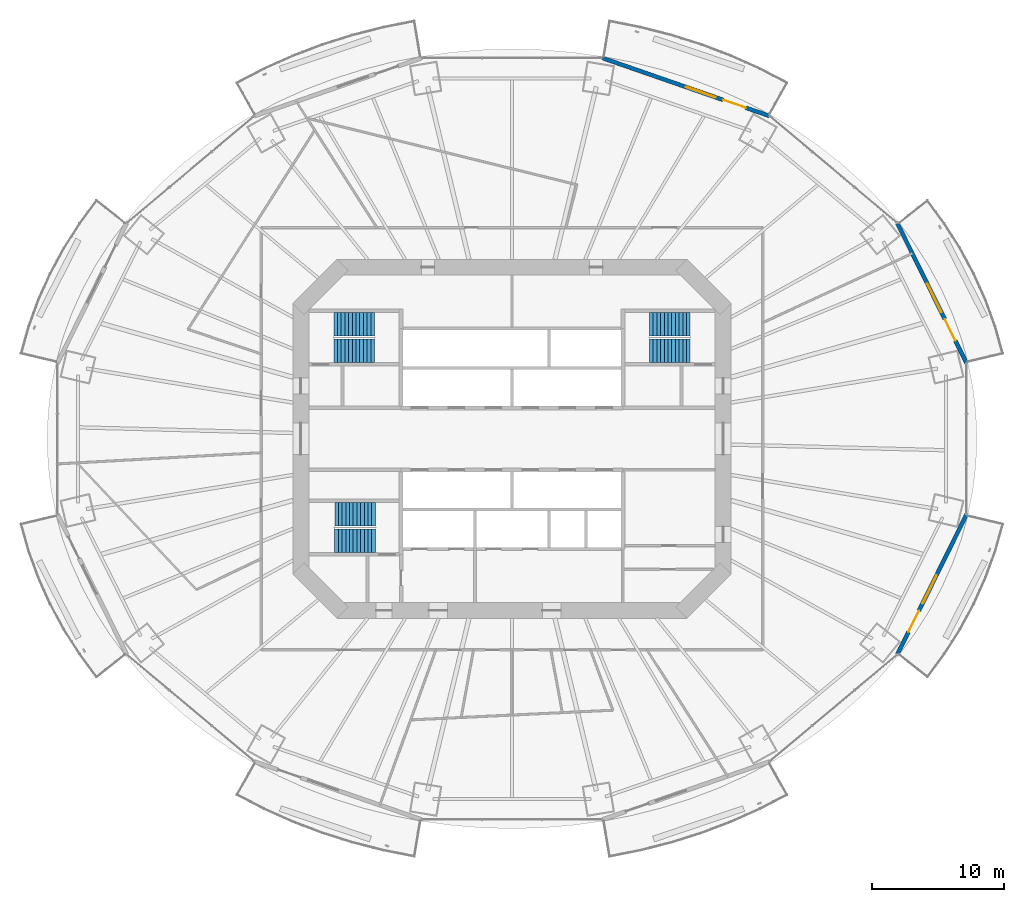
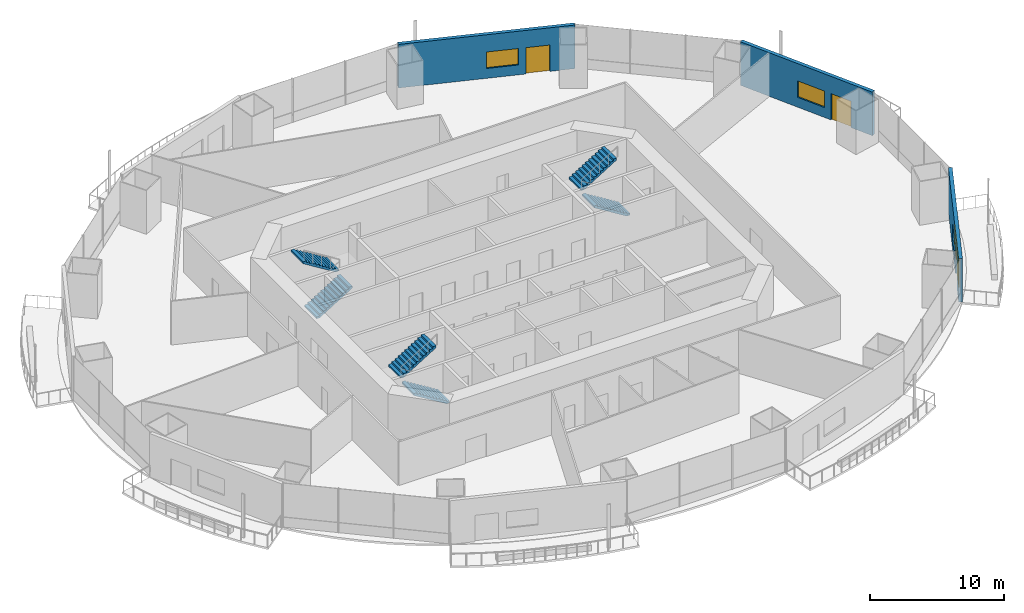
# One storey, part 16 of 22: 6 stair flights, 3 doors, 3 walls, 3 windows, 6 openings, 3 elements without a shape of their own.
"""IFC4 building model written with IfcOpenShell, lengths in metres."""

import ifcopenshell
import ifcopenshell.guid

model = None  # the IFC model being written
_history = None  # IfcOwnerHistory: only IFC2X3 demands one
_inside = {}  # id of a spatial element -> (the spatial element, [elements in it])
_under = {}  # id of a project, library or spatial element -> (it, [spatial elements below it])
_declared = {}  # id of a project -> (the project, [libraries it declares])
_typed = {}  # id of a type object -> (the type object, [elements of that type])
_made_of = {}  # id of a material, layer set ... -> (it, [elements and type objects made of it])


def new_model(schema):
    """Start an empty IFC model of exactly this schema.

    Asked for "IFC4X3", IfcOpenShell would pick the latest addendum, in which some entities
    have other attributes; the version numbers below select the first issue.
    IFC2X3 requires an IfcOwnerHistory on every rooted entity: one is made here for all.
    """
    global model, _history
    if schema == "IFC4X3":
        model = ifcopenshell.file(schema_version=(4, 3, 0, 0))
    else:
        model = ifcopenshell.file(schema=schema)
    _inside.clear()
    _under.clear()
    _declared.clear()
    _typed.clear()
    _made_of.clear()
    _history = None
    if model.schema == "IFC2X3":
        org = make("IfcOrganization", Name="unknown")
        user = make(
            "IfcPersonAndOrganization",
            ThePerson=make("IfcPerson", FamilyName="unknown"),
            TheOrganization=org,
        )
        app = make(
            "IfcApplication",
            ApplicationDeveloper=org,
            Version="unknown",
            ApplicationFullName="unknown",
            ApplicationIdentifier="unknown",
        )
        _history = make(
            "IfcOwnerHistory",
            OwningUser=user,
            OwningApplication=app,
            ChangeAction="ADDED",
            CreationDate=0,
        )
    return model


def make(cls, **values):
    """One entity of the class cls with the attributes given. An attribute that is None is left unset."""
    return model.create_entity(
        cls, **{name: value for name, value in values.items() if value is not None}
    )


def rooted(cls, **values):
    """An entity with a GlobalId (a new one), such as an element, a storey or a relation."""
    return make(cls, GlobalId=ifcopenshell.guid.new(), OwnerHistory=_history, **values)


def si_unit(unit_type, name, prefix=None):
    """IfcSIUnit, for example si_unit("LENGTHUNIT", "METRE", prefix="MILLI")."""
    return make("IfcSIUnit", UnitType=unit_type, Prefix=prefix, Name=name)


def assignment(units):
    """IfcUnitAssignment: the units of a project."""
    return None if units is None else make("IfcUnitAssignment", Units=units)


def point(xyz):
    """IfcCartesianPoint."""
    return None if xyz is None else make("IfcCartesianPoint", Coordinates=xyz)


def direction(xyz):
    """IfcDirection."""
    return None if xyz is None else make("IfcDirection", DirectionRatios=xyz)


def frame(location, z_axis=None, x_axis=None):
    """IfcAxis2Placement3D, a coordinate frame: its origin and axes. An axis left out is left unset."""
    return make(
        "IfcAxis2Placement3D",
        Location=point(location),
        Axis=direction(z_axis),
        RefDirection=direction(x_axis),
    )


def frame_2d(location, x_axis=None):
    """IfcAxis2Placement2D, a coordinate frame in the plane: its origin and x axis."""
    return make(
        "IfcAxis2Placement2D", Location=point(location), RefDirection=direction(x_axis)
    )


def origin():
    """The frame at (0, 0, 0) with its axes left unset."""
    return frame((0.0, 0.0, 0.0))


def place(relative_to, where):
    """IfcLocalPlacement: puts the frame where relative to a parent placement (None: the world)."""
    return make(
        "IfcLocalPlacement", PlacementRelTo=relative_to, RelativePlacement=where
    )


def context(
    kind, dimensions, precision=None, world=None, true_north=None, identifier=None
):
    """IfcGeometricRepresentationContext, for example the 3D "Model" context."""
    return make(
        "IfcGeometricRepresentationContext",
        ContextIdentifier=identifier,
        ContextType=kind,
        CoordinateSpaceDimension=dimensions,
        Precision=precision,
        WorldCoordinateSystem=world,
        TrueNorth=true_north,
    )


def subcontext(parent, identifier, kind, view, scale=None):
    """IfcGeometricRepresentationSubContext, for example "Body" below "Model"."""
    return make(
        "IfcGeometricRepresentationSubContext",
        ContextIdentifier=identifier,
        ContextType=kind,
        ParentContext=parent,
        TargetScale=scale,
        TargetView=view,
    )


def project(units=None, contexts=None):
    """IfcProject with its units and contexts."""
    return rooted(
        "IfcProject",
        Name="project",
        RepresentationContexts=contexts,
        UnitsInContext=assignment(units),
    )


def spatial(cls, under=None, at=None, **own):
    """A site, building, storey or space (cls), placed at a placement, below another one or the project."""
    s = rooted(cls, ObjectPlacement=at, **own)
    if under is not None:
        _under.setdefault(under.id(), (under, []))[1].append(s)
    return s


def polyline(points):
    """IfcPolyline through the points."""
    return make("IfcPolyline", Points=[point(p) for p in points])


def profile(cls, at=None, kind="AREA", **sizes):
    """A parametric profile (cls). Its sizes go by their IFC names, for example OverallWidth=200.0."""
    return make(cls, ProfileType=kind, Position=at, **sizes)


def rectangle(**sizes):
    """IfcRectangleProfileDef."""
    return profile("IfcRectangleProfileDef", **sizes)


def outline(outer, holes=None, kind="AREA"):
    """IfcArbitraryClosedProfileDef: a profile drawn as a closed curve; with holes, ...WithVoids."""
    if holes is None:
        return make("IfcArbitraryClosedProfileDef", ProfileType=kind, OuterCurve=outer)
    return make(
        "IfcArbitraryProfileDefWithVoids",
        ProfileType=kind,
        OuterCurve=outer,
        InnerCurves=holes,
    )


def extrude(swept, where, along, depth):
    """IfcExtrudedAreaSolid: the profile swept, set in the frame where, extruded along a direction by depth."""
    return make(
        "IfcExtrudedAreaSolid",
        SweptArea=swept,
        Position=where,
        ExtrudedDirection=direction(along),
        Depth=depth,
    )


def shape(context_of_items, identifier, shape_type, items):
    """IfcShapeRepresentation: the items that make up one representation, for example the "Body"."""
    return make(
        "IfcShapeRepresentation",
        ContextOfItems=context_of_items,
        RepresentationIdentifier=identifier,
        RepresentationType=shape_type,
        Items=items,
    )


def material(Name=None, Category=None):
    """IfcMaterial."""
    return make("IfcMaterial", Name=Name, Category=Category)


def layer(
    of_material, thickness, ventilated=None, Name=None, Category=None, Priority=None
):
    """IfcMaterialLayer: one layer of a wall or slab, of a material (None: an air gap)."""
    return make(
        "IfcMaterialLayer",
        Material=of_material,
        LayerThickness=thickness,
        IsVentilated=ventilated,
        Name=Name,
        Category=Category,
        Priority=Priority,
    )


def layer_set(layers, Name=None):
    """IfcMaterialLayerSet."""
    return make("IfcMaterialLayerSet", MaterialLayers=layers, LayerSetName=Name)


def made_of(thing, what):
    """Note that an element or type object is made of a material, layer set ...; save() writes the relation."""
    if what is not None:
        _made_of.setdefault(what.id(), (what, []))[1].append(thing)
    return thing


def type_object(cls, material=None, **own):
    """A type object (cls), such as IfcWallType, which elements share."""
    return made_of(rooted(cls, **own), material)


def element(
    cls,
    number,
    at=None,
    inside=None,
    cuts=None,
    type_object=None,
    material=None,
    context=None,
    identifier="Body",
    shape_type=None,
    held_by="IfcProductDefinitionShape",
    body=None,
    shapes=None,
    **own,
):
    """One element of the class cls, such as IfcWall. Its Tag is "e" and its number.

    at: its placement. inside: the storey or other place that contains it. cuts: it is an
    opening in that element (IfcRelVoidsElement). A single representation is given by context,
    identifier, shape_type and body (its items); several are given by shapes. held_by: the class
    of the entity that holds the representations. save() writes the other relations.
    """
    e = rooted(cls, Tag="e%d" % number, ObjectPlacement=at, **own)
    if body is not None:
        shapes = [shape(context, identifier, shape_type, body)]
    if shapes is not None:
        e.Representation = make(held_by, Representations=shapes)
    if inside is not None:
        _inside.setdefault(inside.id(), (inside, []))[1].append(e)
    if cuts is not None:
        rooted(
            "IfcRelVoidsElement", RelatingBuildingElement=cuts, RelatedOpeningElement=e
        )
    if type_object is not None:
        _typed.setdefault(type_object.id(), (type_object, []))[1].append(e)
    return made_of(e, material)


def fill(opening, filler):
    """IfcRelFillsElement: the door or window that sits in an opening."""
    return rooted(
        "IfcRelFillsElement",
        RelatingOpeningElement=opening,
        RelatedBuildingElement=filler,
    )


def aggregate(whole, parts):
    """IfcRelAggregates: a whole, such as a stair, and the parts it consists of."""
    return rooted("IfcRelAggregates", RelatingObject=whole, RelatedObjects=parts)


def save(model, path):
    """Write the relations noted so far, then the file.

    IfcRelAggregates (storeys below a building ...), IfcRelContainedInSpatialStructure (elements
    in a storey), IfcRelDefinesByType, IfcRelAssociatesMaterial and IfcRelDeclares: one each for
    every whole, place, type object, material and project.
    """
    for whole, parts in _under.values():
        aggregate(whole, parts)
    for where, things in _inside.values():
        rooted(
            "IfcRelContainedInSpatialStructure",
            RelatedElements=things,
            RelatingStructure=where,
        )
    for kind, things in _typed.values():
        rooted("IfcRelDefinesByType", RelatedObjects=things, RelatingType=kind)
    for what, things in _made_of.values():
        rooted("IfcRelAssociatesMaterial", RelatedObjects=things, RelatingMaterial=what)
    for by, libraries in _declared.values():
        rooted("IfcRelDeclares", RelatingContext=by, RelatedDefinitions=libraries)
    model.write(path)


model = new_model("IFC4")

# Units and contexts
model_context = context("Model", 3, precision=1e-05, world=origin(), true_north=direction((0.0, 1.0)))
body_context = subcontext(model_context, "Body", "Model", "MODEL_VIEW")
ifc_project = project(units=[si_unit("LENGTHUNIT", "METRE"), si_unit("AREAUNIT", "SQUARE_METRE"), si_unit("VOLUMEUNIT", "CUBIC_METRE"), si_unit("PLANEANGLEUNIT", "RADIAN"), si_unit("MASSUNIT", "GRAM", prefix="KILO")], contexts=[model_context])

# Site, building, storey
site_placement = place(None, origin())
site = spatial("IfcSite", under=ifc_project, at=site_placement, CompositionType="ELEMENT")
building_placement = place(site_placement, origin())
building = spatial("IfcBuilding", under=site, at=building_placement, Name="Marenthal Gate Tower", CompositionType="ELEMENT")
storey_placement = place(building_placement, frame((0.0, 0.0, 86.949951171875)))
storey = spatial("IfcBuildingStorey", under=building, at=storey_placement, Name="L17", CompositionType="ELEMENT", Elevation=86.949951171875)

# Wall, openings, door, window
ifc_material_1 = material(Name="Terracotta cladding on insulated concrete-block backing", Category="masonry")
ifc_layer = layer(ifc_material_1, 0.300048828125)
ifc_layer_set = layer_set([ifc_layer], Name="Terracotta facade wall 300")
wall_type = type_object("IfcWallType", Name="Terracotta facade wall 300", PredefinedType="SOLIDWALL", material=ifc_layer_set)
wall_1_placement = place(storey_placement, frame((34.436279296875, 5.7392578125, 0.0), z_axis=(0.0, 0.0, 1.0), x_axis=(-0.443180520711, 0.896432387892, 0.0)))
wall_1 = element("IfcWall", 1, at=wall_1_placement, inside=storey, type_object=wall_type, Name="Terracotta facade wall L17 bay 1", PredefinedType="SOLIDWALL", context=body_context, shape_type="SweptSolid", body=[
    extrude(rectangle(XDim=11.82958984375, YDim=0.300048828125, at=frame_2d((5.914794921875, 0.0))), origin(), (0.0, 0.0, 1.0), 3.969970703125),
])
opening_1_placement = place(wall_1_placement, frame((1.89990234375, 0.0, 0.0)))
opening_1 = element("IfcOpeningElement", 2, at=opening_1_placement, cuts=wall_1, Name="Opening BD-L17-01", PredefinedType="OPENING", context=body_context, shape_type="SweptSolid", body=[
    extrude(rectangle(XDim=1.800048828125, YDim=2.39990234375, at=frame_2d((0.89990234375, 1.199951171875))), frame((0.0, 0.16015625, 0.0), z_axis=(0.0, -1.0, 0.0), x_axis=(1.0, 0.0, 0.0)), (0.0, 0.0, 1.0), 0.320068359375),
])
opening_2_placement = place(wall_1_placement, frame((4.300048828125, 0.0, 0.89990234375)))
opening_2 = element("IfcOpeningElement", 3, at=opening_2_placement, cuts=wall_1, Name="Opening WN1-L17-01", PredefinedType="OPENING", context=body_context, shape_type="SweptSolid", body=[
    extrude(rectangle(XDim=2.39990234375, YDim=1.5, at=frame_2d((1.199951171875, 0.75))), frame((0.0, 0.16015625, 0.0), z_axis=(0.0, -1.0, 0.0), x_axis=(1.0, 0.0, 0.0)), (0.0, 0.0, 1.0), 0.320068359375),
])
ifc_material_2 = material(Name="Aluminium and glass", Category="aluminium")
door_type = type_object("IfcDoorType", Name="Balcony door 1800x2400", OperationType="DOUBLE_DOOR_SINGLE_SWING", PredefinedType="DOOR", material=ifc_material_2)
door_1_placement = place(opening_1_placement, origin())
door_1 = element("IfcDoor", 4, at=door_1_placement, inside=storey, type_object=door_type, Name="Balcony door L17 bay 1", OperationType="SINGLE_SWING_LEFT", OverallHeight=2.39990234375, OverallWidth=1.800048828125, PredefinedType="DOOR", context=body_context, shape_type="SweptSolid", body=[
    extrude(rectangle(XDim=1.800048828125, YDim=2.39990234375, at=frame_2d((0.89990234375, 1.199951171875))), frame((0.0, 0.02490234375, 0.0), z_axis=(0.0, -1.0, 0.0), x_axis=(1.0, 0.0, 0.0)), (0.0, 0.0, 1.0), 0.050048828125),
])
fill(opening_1, door_1)
ifc_material_3 = material(Name="Aluminium and glass", Category="aluminium")
window_type = type_object("IfcWindowType", Name="Window 2400x1500", PartitioningType="TRIPLE_PANEL_VERTICAL", PredefinedType="WINDOW", material=ifc_material_3)
window_1_placement = place(opening_2_placement, origin())
window_1 = element("IfcWindow", 5, at=window_1_placement, inside=storey, type_object=window_type, Name="Window L17 bay 1", OverallHeight=1.5, OverallWidth=2.39990234375, PartitioningType="SINGLE_PANEL", PredefinedType="WINDOW", context=body_context, shape_type="SweptSolid", body=[
    extrude(rectangle(XDim=2.39990234375, YDim=1.5, at=frame_2d((1.199951171875, 0.75))), frame((0.0, 0.030029296875, 0.0), z_axis=(0.0, -1.0, 0.0), x_axis=(1.0, 0.0, 0.0)), (0.0, 0.0, 1.0), 0.06005859375),
])
fill(opening_2, window_1)

wall_2_placement = place(storey_placement, frame((19.506591796875, 24.460205078125, 0.0), z_axis=(0.0, 0.0, 1.0), x_axis=(-0.944722748464, 0.327870292241, 0.0)))
wall_2 = element("IfcWall", 6, at=wall_2_placement, inside=storey, type_object=wall_type, Name="Terracotta facade wall L17 bay 3", PredefinedType="SOLIDWALL", context=body_context, shape_type="SweptSolid", body=[
    extrude(rectangle(XDim=13.397216796875, YDim=0.300048828125, at=frame_2d((6.69873046875, 0.0))), origin(), (0.0, 0.0, 1.0), 3.969970703125),
])
opening_3_placement = place(wall_2_placement, frame((1.89990234375, 0.0, 0.0)))
opening_3 = element("IfcOpeningElement", 7, at=opening_3_placement, cuts=wall_2, Name="Opening BD-L17-03", PredefinedType="OPENING", context=body_context, shape_type="SweptSolid", body=[
    extrude(rectangle(XDim=1.800048828125, YDim=2.39990234375, at=frame_2d((0.89990234375, 1.199951171875))), frame((0.0, 0.16015625, 0.0), z_axis=(0.0, -1.0, 0.0), x_axis=(1.0, 0.0, 0.0)), (0.0, 0.0, 1.0), 0.320068359375),
])
opening_4_placement = place(wall_2_placement, frame((4.300048828125, 0.0, 0.89990234375)))
opening_4 = element("IfcOpeningElement", 8, at=opening_4_placement, cuts=wall_2, Name="Opening WN1-L17-03", PredefinedType="OPENING", context=body_context, shape_type="SweptSolid", body=[
    extrude(rectangle(XDim=2.39990234375, YDim=1.5, at=frame_2d((1.199951171875, 0.75))), frame((0.0, 0.16015625, 0.0), z_axis=(0.0, -1.0, 0.0), x_axis=(1.0, 0.0, 0.0)), (0.0, 0.0, 1.0), 0.320068359375),
])
door_2_placement = place(opening_3_placement, origin())
door_2 = element("IfcDoor", 9, at=door_2_placement, inside=storey, type_object=door_type, Name="Balcony door L17 bay 3", OperationType="SINGLE_SWING_LEFT", OverallHeight=2.39990234375, OverallWidth=1.800048828125, PredefinedType="DOOR", context=body_context, shape_type="SweptSolid", body=[
    extrude(rectangle(XDim=1.800048828125, YDim=2.39990234375, at=frame_2d((0.89990234375, 1.199951171875))), frame((0.0, 0.02490234375, 0.0), z_axis=(0.0, -1.0, 0.0), x_axis=(1.0, 0.0, 0.0)), (0.0, 0.0, 1.0), 0.050048828125),
])
fill(opening_3, door_2)
window_2_placement = place(opening_4_placement, origin())
window_2 = element("IfcWindow", 10, at=window_2_placement, inside=storey, type_object=window_type, Name="Window L17 bay 3", OverallHeight=1.5, OverallWidth=2.39990234375, PartitioningType="SINGLE_PANEL", PredefinedType="WINDOW", context=body_context, shape_type="SweptSolid", body=[
    extrude(rectangle(XDim=2.39990234375, YDim=1.5, at=frame_2d((1.199951171875, 0.75))), frame((0.0, 0.030029296875, 0.0), z_axis=(0.0, -1.0, 0.0), x_axis=(1.0, 0.0, 0.0)), (0.0, 0.0, 1.0), 0.06005859375),
])
fill(opening_4, window_2)

wall_3_placement = place(storey_placement, frame((29.193603515625, -16.34375, 0.0), z_axis=(0.0, 0.0, 1.0), x_axis=(0.443197104999, 0.896424188719, 0.0)))
wall_3 = element("IfcWall", 11, at=wall_3_placement, inside=storey, type_object=wall_type, Name="Terracotta facade wall L17 bay 15", PredefinedType="SOLIDWALL", context=body_context, shape_type="SweptSolid", body=[
    extrude(rectangle(XDim=11.829833984375, YDim=0.300048828125, at=frame_2d((5.9150390625, 0.0))), origin(), (0.0, 0.0, 1.0), 3.969970703125),
])
opening_5_placement = place(wall_3_placement, frame((1.89990234375, 0.0, 0.0)))
opening_5 = element("IfcOpeningElement", 12, at=opening_5_placement, cuts=wall_3, Name="Opening BD-L17-15", PredefinedType="OPENING", context=body_context, shape_type="SweptSolid", body=[
    extrude(rectangle(XDim=1.800048828125, YDim=2.39990234375, at=frame_2d((0.89990234375, 1.199951171875))), frame((0.0, 0.16015625, 0.0), z_axis=(0.0, -1.0, 0.0), x_axis=(1.0, 0.0, 0.0)), (0.0, 0.0, 1.0), 0.320068359375),
])
opening_6_placement = place(wall_3_placement, frame((4.300048828125, 0.0, 0.89990234375)))
opening_6 = element("IfcOpeningElement", 13, at=opening_6_placement, cuts=wall_3, Name="Opening WN1-L17-15", PredefinedType="OPENING", context=body_context, shape_type="SweptSolid", body=[
    extrude(rectangle(XDim=2.39990234375, YDim=1.5, at=frame_2d((1.199951171875, 0.75))), frame((0.0, 0.16015625, 0.0), z_axis=(0.0, -1.0, 0.0), x_axis=(1.0, 0.0, 0.0)), (0.0, 0.0, 1.0), 0.320068359375),
])
door_3_placement = place(opening_5_placement, origin())
door_3 = element("IfcDoor", 14, at=door_3_placement, inside=storey, type_object=door_type, Name="Balcony door L17 bay 15", OperationType="SINGLE_SWING_LEFT", OverallHeight=2.39990234375, OverallWidth=1.800048828125, PredefinedType="DOOR", context=body_context, shape_type="SweptSolid", body=[
    extrude(rectangle(XDim=1.800048828125, YDim=2.39990234375, at=frame_2d((0.89990234375, 1.199951171875))), frame((0.0, 0.02490234375, 0.0), z_axis=(0.0, -1.0, 0.0), x_axis=(1.0, 0.0, 0.0)), (0.0, 0.0, 1.0), 0.050048828125),
])
fill(opening_5, door_3)
window_3_placement = place(opening_6_placement, origin())
window_3 = element("IfcWindow", 15, at=window_3_placement, inside=storey, type_object=window_type, Name="Window L17 bay 15", OverallHeight=1.5, OverallWidth=2.39990234375, PartitioningType="SINGLE_PANEL", PredefinedType="WINDOW", context=body_context, shape_type="SweptSolid", body=[
    extrude(rectangle(XDim=2.39990234375, YDim=1.5, at=frame_2d((1.199951171875, 0.75))), frame((0.0, 0.030029296875, 0.0), z_axis=(0.0, -1.0, 0.0), x_axis=(1.0, 0.0, 0.0)), (0.0, 0.0, 1.0), 0.06005859375),
])
fill(opening_6, window_3)

# Stair, stair flights
ifc_material_4 = material(Name="Concrete 40 MPa", Category="concrete")
stair_type = type_object("IfcStairType", Name="Exit stair 1800", PredefinedType="HALF_TURN_STAIR", material=ifc_material_4)
stair_1_placement = place(storey_placement, origin())
stair_1 = element("IfcStair", 16, at=stair_1_placement, inside=storey, type_object=stair_type, Name="Stair ST1", PredefinedType="HALF_TURN_STAIR")
ifc_material_5 = material(Name="Concrete 40 MPa", Category="concrete")
stair_flight_type = type_object("IfcStairFlightType", Name="Stair flight 1800", PredefinedType="STRAIGHT", material=ifc_material_5)
stair_flight_1_placement = place(storey_placement, frame((-13.5, 6.675048828125, 0.0), z_axis=(0.0, 0.0, 1.0), x_axis=(1.0, 0.0, 0.0)))
stair_flight_1 = element("IfcStairFlight", 17, at=stair_flight_1_placement, type_object=stair_flight_type, Name="ST1 flight 1", NumberOfRisers=12, NumberOfTreads=11, PredefinedType="STRAIGHT", RiserHeight=0.172916667, TreadLength=0.28, context=body_context, shape_type="SweptSolid", body=[
    extrude(outline(polyline([(0.0, 0.0), (0.0, 0.1728515625), (0.280029296875, 0.1728515625), (0.280029296875, 0.345947265625), (0.56005859375, 0.345947265625), (0.56005859375, 0.518798828125), (0.840087890625, 0.518798828125), (0.840087890625, 0.691650390625), (1.1201171875, 0.691650390625), (1.1201171875, 0.864501953125), (1.39990234375, 0.864501953125), (1.39990234375, 1.03759765625), (1.679931640625, 1.03759765625), (1.679931640625, 1.21044921875), (1.9599609375, 1.21044921875), (1.9599609375, 1.38330078125), (2.239990234375, 1.38330078125), (2.239990234375, 1.55615234375), (2.52001953125, 1.55615234375), (2.52001953125, 1.729248046875), (2.800048828125, 1.729248046875), (2.800048828125, 1.902099609375), (3.080078125, 1.902099609375), (3.080078125, 2.074951171875), (3.080078125, 1.725830078125), (0.285400390625, 0.0), (0.0, 0.0)])), frame((0.0, 0.89990234375, 0.0), z_axis=(0.0, -1.0, 0.0), x_axis=(1.0, 0.0, 0.0)), (0.0, 0.0, 1.0), 1.800048828125),
])
stair_flight_2_placement = place(storey_placement, frame((-10.419921875, 8.675048828125, 2.074951171875), z_axis=(0.0, 0.0, 1.0), x_axis=(-1.0, 0.0, 0.0)))
stair_flight_2 = element("IfcStairFlight", 18, at=stair_flight_2_placement, type_object=stair_flight_type, Name="ST1 flight 2", NumberOfRisers=12, NumberOfTreads=11, PredefinedType="STRAIGHT", RiserHeight=0.172916667, TreadLength=0.28, context=body_context, shape_type="SweptSolid", body=[
    extrude(outline(polyline([(0.0, 0.0), (0.0, 0.1728515625), (0.280029296875, 0.1728515625), (0.280029296875, 0.345947265625), (0.56005859375, 0.345947265625), (0.56005859375, 0.518798828125), (0.840087890625, 0.518798828125), (0.840087890625, 0.691650390625), (1.1201171875, 0.691650390625), (1.1201171875, 0.864501953125), (1.39990234375, 0.864501953125), (1.39990234375, 1.03759765625), (1.679931640625, 1.03759765625), (1.679931640625, 1.21044921875), (1.9599609375, 1.21044921875), (1.9599609375, 1.38330078125), (2.239990234375, 1.38330078125), (2.239990234375, 1.55615234375), (2.52001953125, 1.55615234375), (2.52001953125, 1.729248046875), (2.800048828125, 1.729248046875), (2.800048828125, 1.902099609375), (3.080078125, 1.902099609375), (3.080078125, 2.074951171875), (3.080078125, 1.725830078125), (0.285400390625, 0.0), (0.0, 0.0)])), frame((0.0, 0.89990234375, 0.0), z_axis=(0.0, -1.0, 0.0), x_axis=(1.0, 0.0, 0.0)), (0.0, 0.0, 1.0), 1.800048828125),
])
aggregate(stair_1, [stair_flight_1, stair_flight_2])

stair_2_placement = place(storey_placement, origin())
stair_2 = element("IfcStair", 19, at=stair_2_placement, inside=storey, type_object=stair_type, Name="Stair ST2", PredefinedType="HALF_TURN_STAIR")
stair_flight_3_placement = place(storey_placement, frame((-10.35009765625, -7.72509765625, 0.0), z_axis=(0.0, 0.0, 1.0), x_axis=(-1.0, 0.0, 0.0)))
stair_flight_3 = element("IfcStairFlight", 20, at=stair_flight_3_placement, type_object=stair_flight_type, Name="ST2 flight 1", NumberOfRisers=12, NumberOfTreads=11, PredefinedType="STRAIGHT", RiserHeight=0.172916667, TreadLength=0.28, context=body_context, shape_type="SweptSolid", body=[
    extrude(outline(polyline([(0.0, 0.0), (0.0, 0.1728515625), (0.280029296875, 0.1728515625), (0.280029296875, 0.345947265625), (0.56005859375, 0.345947265625), (0.56005859375, 0.518798828125), (0.840087890625, 0.518798828125), (0.840087890625, 0.691650390625), (1.1201171875, 0.691650390625), (1.1201171875, 0.864501953125), (1.39990234375, 0.864501953125), (1.39990234375, 1.03759765625), (1.679931640625, 1.03759765625), (1.679931640625, 1.21044921875), (1.9599609375, 1.21044921875), (1.9599609375, 1.38330078125), (2.239990234375, 1.38330078125), (2.239990234375, 1.55615234375), (2.52001953125, 1.55615234375), (2.52001953125, 1.729248046875), (2.800048828125, 1.729248046875), (2.800048828125, 1.902099609375), (3.080078125, 1.902099609375), (3.080078125, 2.074951171875), (3.080078125, 1.725830078125), (0.285400390625, 0.0), (0.0, 0.0)])), frame((0.0, 0.89990234375, 0.0), z_axis=(0.0, -1.0, 0.0), x_axis=(1.0, 0.0, 0.0)), (0.0, 0.0, 1.0), 1.800048828125),
])
stair_flight_4_placement = place(storey_placement, frame((-13.429931640625, -5.72509765625, 2.074951171875), z_axis=(0.0, 0.0, 1.0), x_axis=(1.0, 0.0, 0.0)))
stair_flight_4 = element("IfcStairFlight", 21, at=stair_flight_4_placement, type_object=stair_flight_type, Name="ST2 flight 2", NumberOfRisers=12, NumberOfTreads=11, PredefinedType="STRAIGHT", RiserHeight=0.172916667, TreadLength=0.28, context=body_context, shape_type="SweptSolid", body=[
    extrude(outline(polyline([(0.0, 0.0), (0.0, 0.1728515625), (0.280029296875, 0.1728515625), (0.280029296875, 0.345947265625), (0.56005859375, 0.345947265625), (0.56005859375, 0.518798828125), (0.840087890625, 0.518798828125), (0.840087890625, 0.691650390625), (1.1201171875, 0.691650390625), (1.1201171875, 0.864501953125), (1.39990234375, 0.864501953125), (1.39990234375, 1.03759765625), (1.679931640625, 1.03759765625), (1.679931640625, 1.21044921875), (1.9599609375, 1.21044921875), (1.9599609375, 1.38330078125), (2.239990234375, 1.38330078125), (2.239990234375, 1.55615234375), (2.52001953125, 1.55615234375), (2.52001953125, 1.729248046875), (2.800048828125, 1.729248046875), (2.800048828125, 1.902099609375), (3.080078125, 1.902099609375), (3.080078125, 2.074951171875), (3.080078125, 1.725830078125), (0.285400390625, 0.0), (0.0, 0.0)])), frame((0.0, 0.89990234375, 0.0), z_axis=(0.0, -1.0, 0.0), x_axis=(1.0, 0.0, 0.0)), (0.0, 0.0, 1.0), 1.800048828125),
])
aggregate(stair_2, [stair_flight_3, stair_flight_4])

stair_3_placement = place(storey_placement, origin())
stair_3 = element("IfcStair", 22, at=stair_3_placement, inside=storey, type_object=stair_type, Name="Stair ST3", PredefinedType="HALF_TURN_STAIR")
stair_flight_5_placement = place(storey_placement, frame((13.5, 6.675048828125, 0.0), z_axis=(0.0, 0.0, 1.0), x_axis=(-1.0, 0.0, 0.0)))
stair_flight_5 = element("IfcStairFlight", 23, at=stair_flight_5_placement, type_object=stair_flight_type, Name="ST3 flight 1", NumberOfRisers=12, NumberOfTreads=11, PredefinedType="STRAIGHT", RiserHeight=0.172916667, TreadLength=0.28, context=body_context, shape_type="SweptSolid", body=[
    extrude(outline(polyline([(0.0, 0.0), (0.0, 0.1728515625), (0.280029296875, 0.1728515625), (0.280029296875, 0.345947265625), (0.56005859375, 0.345947265625), (0.56005859375, 0.518798828125), (0.840087890625, 0.518798828125), (0.840087890625, 0.691650390625), (1.1201171875, 0.691650390625), (1.1201171875, 0.864501953125), (1.39990234375, 0.864501953125), (1.39990234375, 1.03759765625), (1.679931640625, 1.03759765625), (1.679931640625, 1.21044921875), (1.9599609375, 1.21044921875), (1.9599609375, 1.38330078125), (2.239990234375, 1.38330078125), (2.239990234375, 1.55615234375), (2.52001953125, 1.55615234375), (2.52001953125, 1.729248046875), (2.800048828125, 1.729248046875), (2.800048828125, 1.902099609375), (3.080078125, 1.902099609375), (3.080078125, 2.074951171875), (3.080078125, 1.725830078125), (0.285400390625, 0.0), (0.0, 0.0)])), frame((0.0, 0.89990234375, 0.0), z_axis=(0.0, -1.0, 0.0), x_axis=(1.0, 0.0, 0.0)), (0.0, 0.0, 1.0), 1.800048828125),
])
stair_flight_6_placement = place(storey_placement, frame((10.419921875, 8.675048828125, 2.074951171875), z_axis=(0.0, 0.0, 1.0), x_axis=(1.0, 0.0, 0.0)))
stair_flight_6 = element("IfcStairFlight", 24, at=stair_flight_6_placement, type_object=stair_flight_type, Name="ST3 flight 2", NumberOfRisers=12, NumberOfTreads=11, PredefinedType="STRAIGHT", RiserHeight=0.172916667, TreadLength=0.28, context=body_context, shape_type="SweptSolid", body=[
    extrude(outline(polyline([(0.0, 0.0), (0.0, 0.1728515625), (0.280029296875, 0.1728515625), (0.280029296875, 0.345947265625), (0.56005859375, 0.345947265625), (0.56005859375, 0.518798828125), (0.840087890625, 0.518798828125), (0.840087890625, 0.691650390625), (1.1201171875, 0.691650390625), (1.1201171875, 0.864501953125), (1.39990234375, 0.864501953125), (1.39990234375, 1.03759765625), (1.679931640625, 1.03759765625), (1.679931640625, 1.21044921875), (1.9599609375, 1.21044921875), (1.9599609375, 1.38330078125), (2.239990234375, 1.38330078125), (2.239990234375, 1.55615234375), (2.52001953125, 1.55615234375), (2.52001953125, 1.729248046875), (2.800048828125, 1.729248046875), (2.800048828125, 1.902099609375), (3.080078125, 1.902099609375), (3.080078125, 2.074951171875), (3.080078125, 1.725830078125), (0.285400390625, 0.0), (0.0, 0.0)])), frame((0.0, 0.89990234375, 0.0), z_axis=(0.0, -1.0, 0.0), x_axis=(1.0, 0.0, 0.0)), (0.0, 0.0, 1.0), 1.800048828125),
])
aggregate(stair_3, [stair_flight_5, stair_flight_6])

save(model, "model.ifc")
